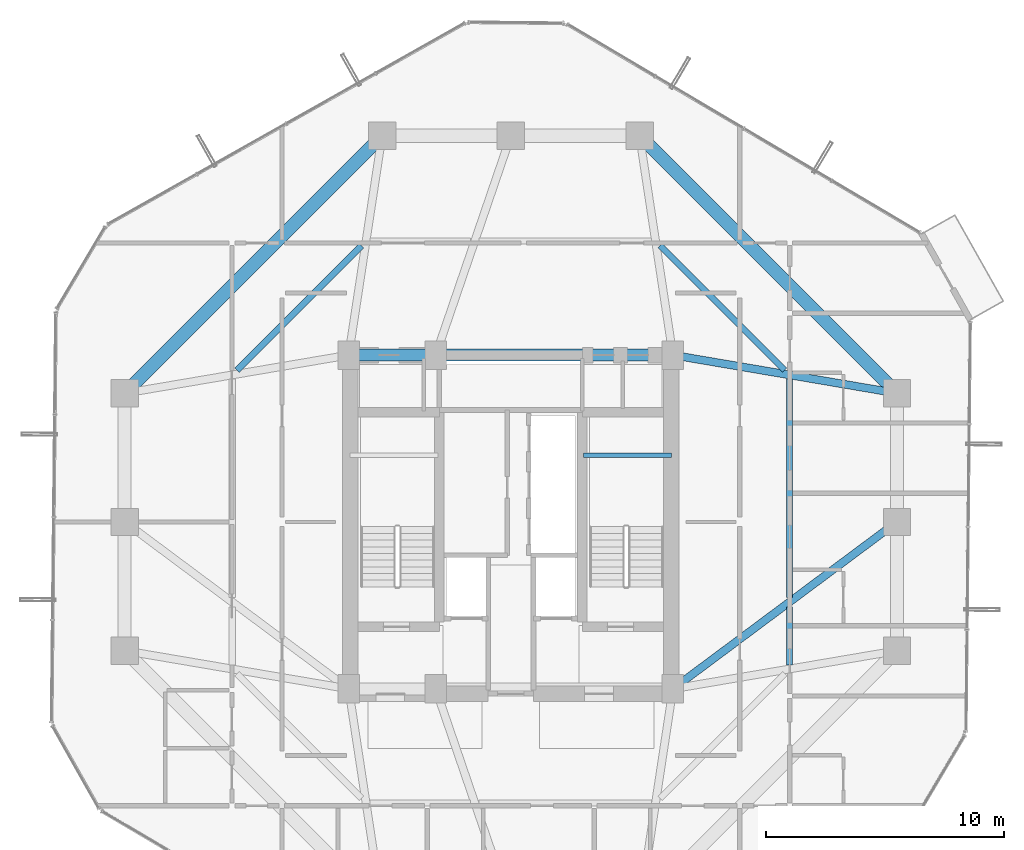
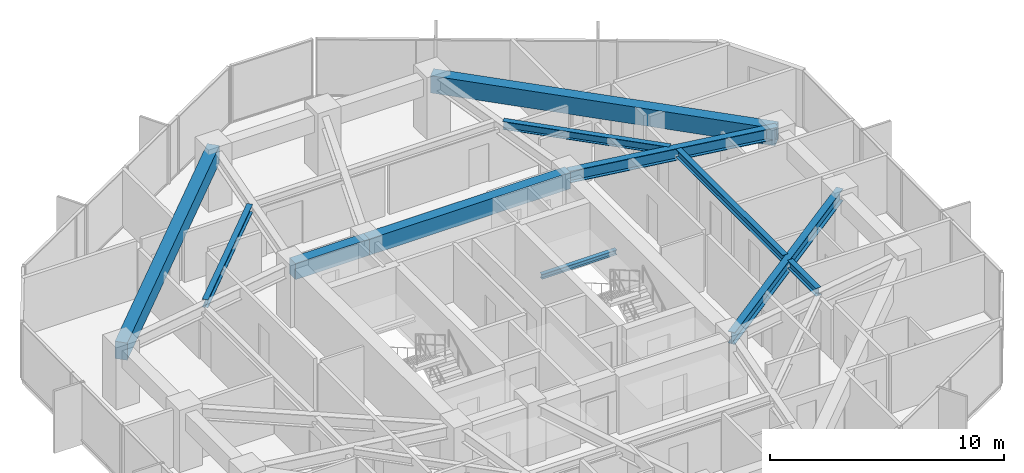
# One storey, part 12 of 30: 11 beams.
"""IFC4 building model written with IfcOpenShell, lengths in metres."""

from ifc_helpers import new_model, si_unit, direction, frame, origin, origin_2d, place, context, subcontext, project, spatial, rectangle, i_section, extrude, material, material_profile, profile_set, type_object, element, save


model = new_model("IFC4")

# Units and contexts
model_context = context("Model", 3, precision=1e-05, world=origin(), true_north=direction((0.0, 1.0)))
body_context = subcontext(model_context, "Body", "Model", "MODEL_VIEW")
ifc_project = project(units=[si_unit("LENGTHUNIT", "METRE"), si_unit("AREAUNIT", "SQUARE_METRE"), si_unit("VOLUMEUNIT", "CUBIC_METRE"), si_unit("PLANEANGLEUNIT", "RADIAN"), si_unit("MASSUNIT", "GRAM", prefix="KILO")], contexts=[model_context])

# Site, building, storey
site_placement = place(None, origin())
site = spatial("IfcSite", under=ifc_project, at=site_placement, CompositionType="ELEMENT")
building_placement = place(site_placement, origin())
building = spatial("IfcBuilding", under=site, at=building_placement, Name="Veraguas Prism Commons", CompositionType="ELEMENT")
storey_placement = place(building_placement, frame((0.0, 0.0, 126.25)))
storey = spatial("IfcBuildingStorey", under=building, at=storey_placement, Name="L35", CompositionType="ELEMENT", Elevation=126.25)

# Beams
ifc_material_1 = material(Name="Concrete C50/60", Category="concrete")
ifc_material_profile_1 = material_profile(ifc_material_1, rectangle(XDim=0.5, YDim=0.85009765625, at=origin_2d()), Name="RC500X850")
ifc_profile_set_1 = profile_set([ifc_material_profile_1], Name="Concrete C50/60")
beam_type_1 = type_object("IfcBeamType", Name="Core Coupling Beam RC 500x850", PredefinedType="BEAM", material=ifc_profile_set_1)
beam_1_placement = place(storey_placement, frame((17.199951171875, 31.0, 2.574951171875), z_axis=(1.0, 0.0, 0.0), x_axis=(0.0, 1.0, 0.0)))
element("IfcBeam", 1, at=beam_1_placement, inside=storey, type_object=beam_type_1, Name="Core Coupling Beam L35-CRN1", PredefinedType="BEAM", context=body_context, shape_type="SweptSolid", body=[
    extrude(rectangle(XDim=0.5, YDim=0.85009765625, at=origin_2d()), origin(), (0.0, 0.0, 1.0), 3.650146484375),
])
beam_2_placement = place(storey_placement, frame((20.85009765625, 31.0, 2.574951171875), z_axis=(1.0, 0.0, 0.0), x_axis=(0.0, 1.0, 0.0)))
element("IfcBeam", 2, at=beam_2_placement, inside=storey, type_object=beam_type_1, Name="Core Coupling Beam L35-CRN2", PredefinedType="BEAM", context=body_context, shape_type="SweptSolid", body=[
    extrude(rectangle(XDim=0.5, YDim=0.85009765625, at=origin_2d()), origin(), (0.0, 0.0, 1.0), 9.949951171875),
])
ifc_material_2 = material(Name="Steel ASTM A992 Grade 50", Category="steel")
ifc_material_profile_2 = material_profile(ifc_material_2, i_section(OverallWidth=0.260986328125, OverallDepth=0.419921875, WebThickness=0.01171875, FlangeThickness=0.019287109375, at=origin_2d()), Name="W410X114")
ifc_profile_set_2 = profile_set([ifc_material_profile_2], Name="Steel ASTM A992 Grade 50")
beam_type_2 = type_object("IfcBeamType", Name="Lower Floor Joist W410x114", PredefinedType="JOIST", material=ifc_profile_set_2)
beam_3_placement = place(storey_placement, frame((35.68798828125, 17.996337890625, 2.7900390625), z_axis=(0.0, 1.0, 0.0), x_axis=(-1.0, 0.0, 0.0)))
element("IfcBeam", 3, at=beam_3_placement, inside=storey, type_object=beam_type_2, Name="Composite Floor Joist L35-JS01", PredefinedType="JOIST", context=body_context, shape_type="SweptSolid", body=[
    extrude(i_section(OverallWidth=0.260986328125, OverallDepth=0.419921875, WebThickness=0.01171875, FlangeThickness=0.019287109375, at=origin_2d()), origin(), (0.0, 0.0, 1.0), 2.441650390625),
])
beam_4_placement = place(storey_placement, frame((35.68798828125, 20.842041015625, 2.7900390625), z_axis=(0.0, 1.0, 0.0), x_axis=(-1.0, 0.0, 0.0)))
element("IfcBeam", 4, at=beam_4_placement, inside=storey, type_object=beam_type_2, Name="Composite Floor Joist L35-JS02", PredefinedType="JOIST", context=body_context, shape_type="SweptSolid", body=[
    extrude(i_section(OverallWidth=0.260986328125, OverallDepth=0.419921875, WebThickness=0.01171875, FlangeThickness=0.019287109375, at=origin_2d()), origin(), (0.0, 0.0, 1.0), 9.16162109375),
])
for number, where, z_axis, x_axis, name in (
    (5, (35.489990234375, 30.365966796875, 2.7900390625), (-0.707090260193, 0.707123301794, 0.0), (-0.707123301794, -0.707090260193, 0.0), "Composite Floor Joist L35-JS03"),
    (6, (17.734619140625, 35.5908203125, 2.7900390625), (-0.707090260193, -0.707123301794, 0.0), (0.707123301794, -0.707090260193, 0.0), "Composite Floor Joist L35-JS06"),
):
    element("IfcBeam", number, at=place(storey_placement, frame(where, z_axis=z_axis, x_axis=x_axis)), inside=storey, type_object=beam_type_2, Name=name, PredefinedType="JOIST", context=body_context, shape_type="SweptSolid", body=[
        extrude(i_section(OverallWidth=0.260986328125, OverallDepth=0.419921875, WebThickness=0.01171875, FlangeThickness=0.019287109375, at=origin_2d()), origin(), (0.0, 0.0, 1.0), 7.388916015625),
    ])
ifc_material_profile_3 = material_profile(ifc_material_1, rectangle(XDim=0.550048828125, YDim=0.89990234375, at=origin_2d()), Name="RC550X900")
ifc_profile_set_3 = profile_set([ifc_material_profile_3], Name="Concrete C50/60")
beam_type_3 = type_object("IfcBeamType", Name="Perimeter Spandrel Lower RC 550x900", PredefinedType="SPANDREL", material=ifc_profile_set_3)
for number, where, z_axis, x_axis, name in (
    (7, (40.199951171875, 29.39990234375, 2.550048828125), (-0.707106781187, 0.707106781187, 0.0), (-0.707106781187, -0.707106781187, 0.0), "Perimeter Spandrel Beam L35-SP03"),
    (8, (18.60009765625, 40.199951171875, 2.550048828125), (-0.707106781187, -0.707106781187, 0.0), (0.707106781187, -0.707106781187, 0.0), "Perimeter Spandrel Beam L35-SP06"),
):
    element("IfcBeam", number, at=place(storey_placement, frame(where, z_axis=z_axis, x_axis=x_axis)), inside=storey, type_object=beam_type_3, Name=name, PredefinedType="SPANDREL", context=body_context, shape_type="SweptSolid", body=[
        extrude(rectangle(XDim=0.550048828125, YDim=0.89990234375, at=origin_2d()), origin(), (0.0, 0.0, 1.0), 15.273681640625),
    ])
ifc_material_profile_4 = material_profile(ifc_material_2, i_section(OverallWidth=0.202880859375, OverallDepth=0.251953125, WebThickness=0.008056640625, FlangeThickness=0.013427734375, at=origin_2d()), Name="W250X58")
ifc_profile_set_4 = profile_set([ifc_material_profile_4], Name="Steel ASTM A992 Grade 50")
beam_type_4 = type_object("IfcBeamType", Name="Structural Opening Lintel W250x58", PredefinedType="LINTEL", material=ifc_profile_set_4)
beam_5_placement = place(storey_placement, frame((27.050048828125, 26.800048828125, 1.299072265625), z_axis=(1.0, 0.0, 0.0), x_axis=(0.0, 1.0, 0.0)))
element("IfcBeam", 9, at=beam_5_placement, inside=storey, type_object=beam_type_4, Name="Stair ST-02 Half-Landing Support Beam L35-1", PredefinedType="LINTEL", context=body_context, shape_type="SweptSolid", body=[
    extrude(i_section(OverallWidth=0.202880859375, OverallDepth=0.251953125, WebThickness=0.008056640625, FlangeThickness=0.013427734375, at=origin_2d()), origin(), (0.0, 0.0, 1.0), 3.699951171875),
])
ifc_material_profile_5 = material_profile(ifc_material_2, i_section(OverallWidth=0.327880859375, OverallDepth=0.6220703125, WebThickness=0.015380859375, FlangeThickness=0.0244140625, at=origin_2d()), Name="W610X195")
ifc_profile_set_5 = profile_set([ifc_material_profile_5], Name="Steel ASTM A992 Grade 50")
beam_type_5 = type_object("IfcBeamType", Name="Zone 2 Radial Girder W610x195", PredefinedType="BEAM", material=ifc_profile_set_5)
beam_6_placement = place(storey_placement, frame((40.199951171875, 24.0, 2.68896484375), z_axis=(-0.802040137921, -0.597270137512, 0.0), x_axis=(0.597270137512, -0.802040137921, 0.0)))
element("IfcBeam", 10, at=beam_6_placement, inside=storey, type_object=beam_type_5, Name="Radial Floor Girder L35-RD02", PredefinedType="BEAM", context=body_context, shape_type="SweptSolid", body=[
    extrude(i_section(OverallWidth=0.327880859375, OverallDepth=0.6220703125, WebThickness=0.015380859375, FlangeThickness=0.0244140625, at=origin_2d()), origin(), (0.0, 0.0, 1.0), 11.719970703125),
])
beam_7_placement = place(storey_placement, frame((40.199951171875, 29.39990234375, 2.68896484375), z_axis=(-0.985819187151, 0.1678109956, 0.0), x_axis=(-0.1678109956, -0.985819187151, 0.0)))
element("IfcBeam", 11, at=beam_7_placement, inside=storey, type_object=beam_type_5, Name="Radial Floor Girder L35-RD03", PredefinedType="BEAM", context=body_context, shape_type="SweptSolid", body=[
    extrude(i_section(OverallWidth=0.327880859375, OverallDepth=0.6220703125, WebThickness=0.015380859375, FlangeThickness=0.0244140625, at=origin_2d()), origin(), (0.0, 0.0, 1.0), 9.53515625),
])

save(model, "model.ifc")
